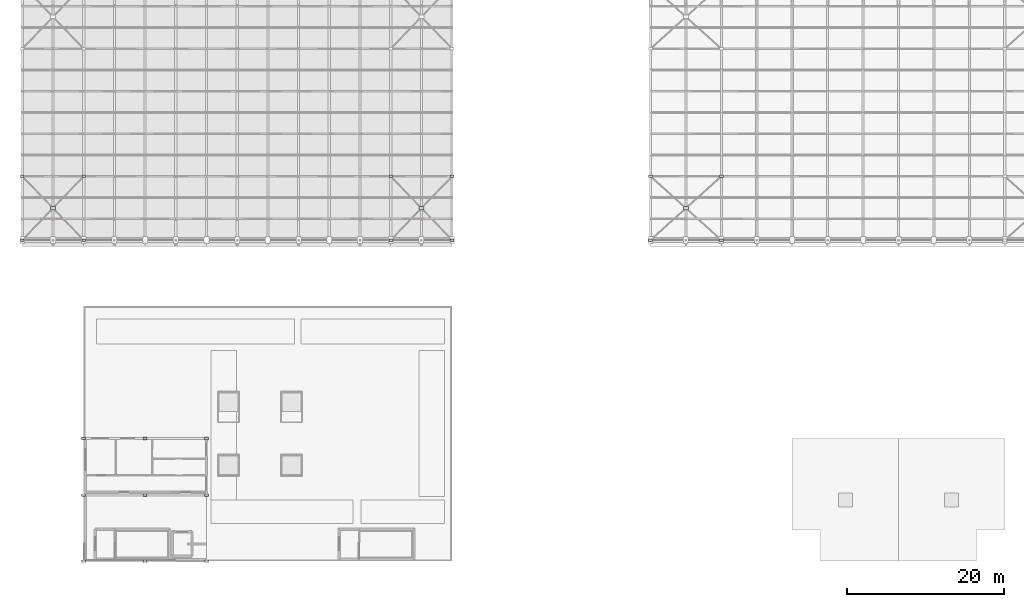
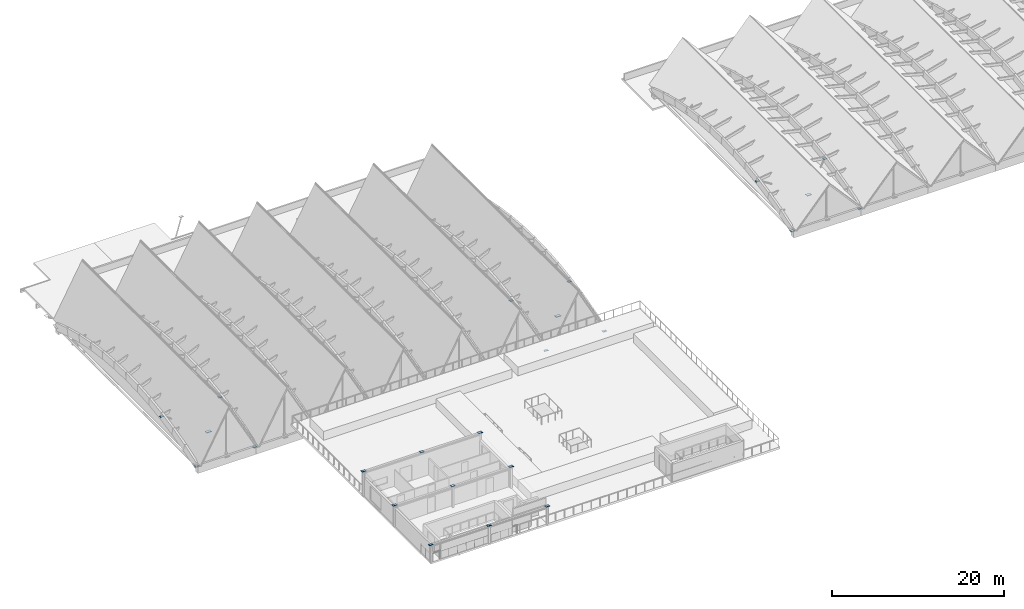
# One storey, part 31 of 39: 24 plates.
"""IFC4 building model written with IfcOpenShell, lengths in metres."""

from ifc_helpers import new_model, si_unit, direction, frame, origin, origin_2d, place, context, subcontext, project, spatial, rectangle, extrude, material, layer, layer_set, type_object, element, save


model = new_model("IFC4")

# Units and contexts
model_context = context("Model", 3, precision=1e-05, world=origin(), true_north=direction((0.0, 1.0)))
body_context = subcontext(model_context, "Body", "Model", "MODEL_VIEW")
ifc_project = project(units=[si_unit("LENGTHUNIT", "METRE"), si_unit("AREAUNIT", "SQUARE_METRE"), si_unit("VOLUMEUNIT", "CUBIC_METRE"), si_unit("PLANEANGLEUNIT", "RADIAN"), si_unit("MASSUNIT", "GRAM", prefix="KILO")], contexts=[model_context])

# Site, building, storey
site_placement = place(None, origin())
site = spatial("IfcSite", under=ifc_project, at=site_placement, CompositionType="ELEMENT")
building_placement = place(site_placement, origin())
building = spatial("IfcBuilding", under=site, at=building_placement, Name="Tizgana Railside Sports Hall", CompositionType="ELEMENT")
storey_placement = place(building_placement, frame((0.0, 0.0, 23.699951171875)))
storey = spatial("IfcBuildingStorey", under=building, at=storey_placement, Name="RF", CompositionType="ELEMENT", Elevation=23.699951171875)

# Plates
ifc_material = material(Name="Steel S355J2", Category="steel")
ifc_layer_1 = layer(ifc_material, 0.01806640625, Name="Steel S355J2")
ifc_layer_set_1 = layer_set([ifc_layer_1], Name="Steel S355J2")
plate_type_1 = type_object("IfcPlateType", Name="Canopy Tie Gusset Plate 480x320x18", PredefinedType="USERDEFINED", material=ifc_layer_set_1)
for number, where, z_axis, x_axis, name in (
    (1, (0.0, 40.800048828125, -8.35888671875), (0.0, 0.0, 1.0), (1.0, 0.0, 0.0), "RF V1 Brace End Plate PLT-0067"),
    (2, (7.800048828125, 48.89990234375, -6.23095703125), (0.0, 0.0, 1.0), (1.0, 0.0, 0.0), "RF V1 Brace End Plate PLT-0068"),
    (3, (7.800048828125, 40.800048828125, -8.35888671875), (0.0, 0.0, 1.0), (1.0, 0.0, 0.0), "RF V1 Brace End Plate PLT-0069"),
    (4, (0.0, 48.89990234375, -6.23095703125), (0.0, 0.0, 1.0), (1.0, 0.0, 0.0), "RF V1 Brace End Plate PLT-0070"),
    (5, (46.800048828125, 40.800048828125, -8.35888671875), (0.0, 0.0, 1.0), (1.0, 0.0, 0.0), "RF V1 Brace End Plate PLT-0077"),
    (6, (54.60009765625, 48.89990234375, -6.23095703125), (0.0, 0.0, 1.0), (1.0, 0.0, 0.0), "RF V1 Brace End Plate PLT-0078"),
    (7, (54.60009765625, 40.800048828125, -8.35888671875), (0.0, 0.0, 1.0), (1.0, 0.0, 0.0), "RF V1 Brace End Plate PLT-0079"),
    (8, (46.800048828125, 48.89990234375, -6.23095703125), (0.0, 0.0, 1.0), (1.0, 0.0, 0.0), "RF V1 Brace End Plate PLT-0080"),
    (9, (79.800048828125, 40.800048828125, -2.958984375), (0.0, 0.0, 1.0), (1.0, 0.0, 0.0), "RF V2 Brace End Plate PLT-0113"),
    (10, (88.800048828125, 48.89990234375, -0.8310546875), (0.0, 0.0, 1.0), (1.0, 0.0, 0.0), "RF V2 Brace End Plate PLT-0114"),
    (11, (88.800048828125, 40.800048828125, -2.958984375), (0.0, 0.0, 1.0), (1.0, 0.0, 0.0), "RF V2 Brace End Plate PLT-0115"),
    (12, (79.800048828125, 48.89990234375, -0.8310546875), (0.0, 0.0, 1.0), (1.0, 0.0, 0.0), "RF V2 Brace End Plate PLT-0116"),
):
    element("IfcPlate", number, at=place(storey_placement, frame(where, z_axis=z_axis, x_axis=x_axis)), inside=storey, type_object=plate_type_1, Name=name, ObjectType="GUSSET_PLATE", PredefinedType="USERDEFINED", context=body_context, shape_type="SweptSolid", body=[
        extrude(rectangle(XDim=0.47998046875, YDim=0.320068359375, at=origin_2d()), origin(), (0.0, 0.0, 1.0), 0.01806640625),
    ])
ifc_layer_2 = layer(ifc_material, 0.02490234375, Name="Steel S355J2")
ifc_layer_set_2 = layer_set([ifc_layer_2], Name="Steel S355J2")
plate_type_2 = type_object("IfcPlateType", Name="Pavilion Post Base Plate 500x340x25", PredefinedType="USERDEFINED", material=ifc_layer_set_2)
for number, where, z_axis, x_axis, name in (
    (13, (7.800048828125, 0.0, 2.527587890625), (0.0, 0.0, 1.0), (1.0, 0.0, 0.0), "RF Column Cap Plate"),
    (14, (7.800048828125, 8.39990234375, 3.0390625), (0.0, 0.0, 1.0), (1.0, 0.0, 0.0), "RF Column Cap Plate"),
    (15, (7.800048828125, 15.60009765625, 3.4775390625), (0.0, 0.0, 1.0), (1.0, 0.0, 0.0), "RF Column Cap Plate"),
    (16, (15.60009765625, 0.0, 2.527587890625), (0.0, 0.0, 1.0), (1.0, 0.0, 0.0), "RF Column Cap Plate"),
    (17, (15.60009765625, 8.39990234375, 3.0390625), (0.0, 0.0, 1.0), (1.0, 0.0, 0.0), "RF Column Cap Plate"),
    (18, (15.60009765625, 15.60009765625, 3.4775390625), (0.0, 0.0, 1.0), (1.0, 0.0, 0.0), "RF Column Cap Plate"),
    (19, (23.39990234375, 0.0, 2.527587890625), (0.0, 0.0, 1.0), (1.0, 0.0, 0.0), "RF Column Cap Plate"),
    (20, (23.39990234375, 8.39990234375, 3.0390625), (0.0, 0.0, 1.0), (1.0, 0.0, 0.0), "RF Column Cap Plate"),
    (21, (23.39990234375, 15.60009765625, 3.4775390625), (0.0, 0.0, 1.0), (1.0, 0.0, 0.0), "RF Column Cap Plate"),
):
    element("IfcPlate", number, at=place(storey_placement, frame(where, z_axis=z_axis, x_axis=x_axis)), inside=storey, type_object=plate_type_2, Name=name, ObjectType="BASE_PLATE", PredefinedType="USERDEFINED", context=body_context, shape_type="SweptSolid", body=[
        extrude(rectangle(XDim=0.5, YDim=0.340087890625, at=origin_2d()), origin(), (0.0, 0.0, 1.0), 0.02490234375),
    ])
ifc_layer_3 = layer(ifc_material, 0.02392578125, Name="Steel S355J2")
ifc_layer_set_3 = layer_set([ifc_layer_3], Name="Steel S355J2")
plate_type_3 = type_object("IfcPlateType", Name="Roof Brace Gusset Plate 640x420x24", PredefinedType="USERDEFINED", material=ifc_layer_set_3)
for number, where, z_axis, x_axis, name in (
    (22, (3.89990234375, 44.85009765625, -7.2978515625), (0.0, 0.0, 1.0), (1.0, 0.0, 0.0), "RF V1 X-Brace Crossing Plate PLT-0066"),
    (23, (50.699951171875, 44.85009765625, -7.2978515625), (0.0, 0.0, 1.0), (1.0, 0.0, 0.0), "RF V1 X-Brace Crossing Plate PLT-0076"),
    (24, (84.300048828125, 44.85009765625, -1.89794921875), (0.0, 0.0, 1.0), (1.0, 0.0, 0.0), "RF V2 X-Brace Crossing Plate PLT-0112"),
):
    element("IfcPlate", number, at=place(storey_placement, frame(where, z_axis=z_axis, x_axis=x_axis)), inside=storey, type_object=plate_type_3, Name=name, ObjectType="GUSSET_PLATE", PredefinedType="USERDEFINED", context=body_context, shape_type="SweptSolid", body=[
        extrude(rectangle(XDim=0.639892578125, YDim=0.419921875, at=origin_2d()), origin(), (0.0, 0.0, 1.0), 0.02392578125),
    ])

save(model, "model.ifc")
